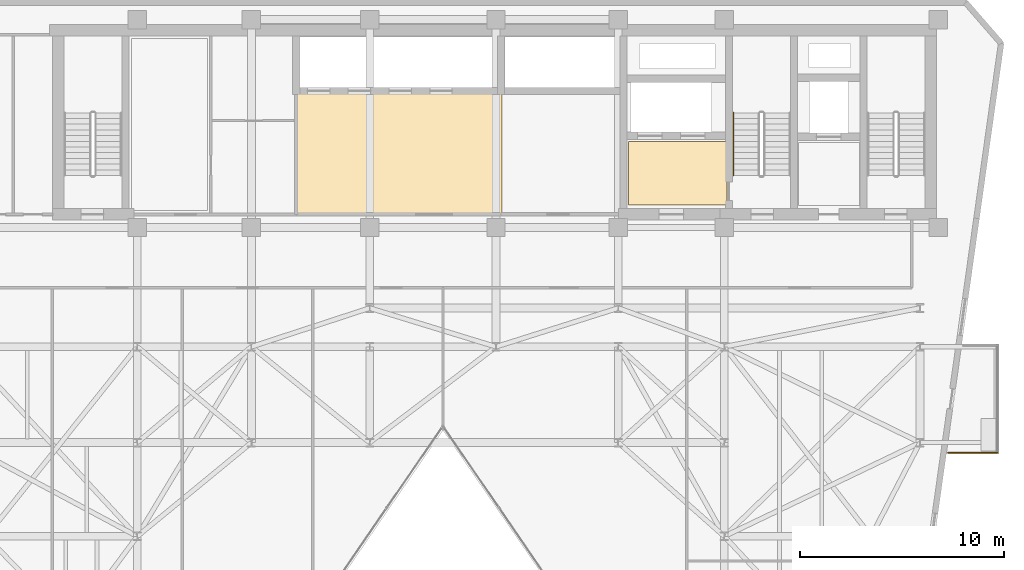
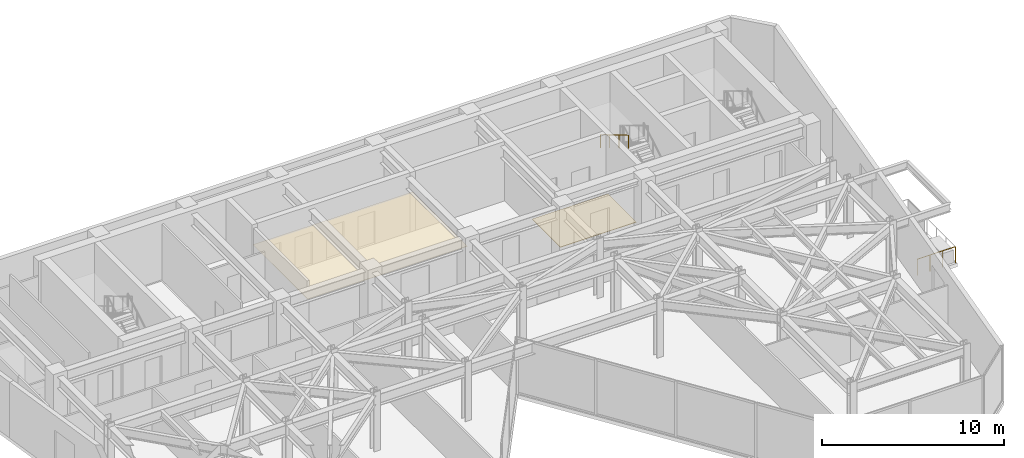
# One storey, part 20 of 21: 2 coverings, 2 railings.
"""IFC4 building model written with IfcOpenShell, lengths in metres."""

from ifc_helpers import new_model, si_unit, direction, frame, origin, origin_2d, place, context, subcontext, project, spatial, polyline, circle, outline, extrude, material, layer, layer_set, type_object, element, save


model = new_model("IFC4")

# Units and contexts
model_context = context("Model", 3, precision=1e-05, world=origin(), true_north=direction((0.0, 1.0)))
body_context = subcontext(model_context, "Body", "Model", "MODEL_VIEW")
ifc_project = project(units=[si_unit("LENGTHUNIT", "METRE"), si_unit("AREAUNIT", "SQUARE_METRE"), si_unit("VOLUMEUNIT", "CUBIC_METRE"), si_unit("PLANEANGLEUNIT", "RADIAN"), si_unit("MASSUNIT", "GRAM", prefix="KILO")], contexts=[model_context])

# Site, building, storey
site_placement = place(None, origin())
site = spatial("IfcSite", under=ifc_project, at=site_placement, CompositionType="ELEMENT")
building_placement = place(site_placement, origin())
building = spatial("IfcBuilding", under=site, at=building_placement, Name="Kravanh Interchange Tower", CompositionType="ELEMENT")
storey_placement = place(building_placement, frame((0.0, 0.0, 168.5)))
storey = spatial("IfcBuildingStorey", under=building, at=storey_placement, Name="L40", CompositionType="ELEMENT", Elevation=168.5)

# Coverings
ifc_material_1 = material(Name="Cementitious Terrazzo Tile")
ifc_layer_1 = layer(ifc_material_1, 0.030029296875)
ifc_layer_set_1 = layer_set([ifc_layer_1], Name="Honed Terrazzo Lobby Flooring 30mm")
covering_type_1 = type_object("IfcCoveringType", Name="Honed Terrazzo Lobby Flooring 30mm", PredefinedType="FLOORING", material=ifc_layer_set_1)
covering_1_placement = place(storey_placement, origin())
element("IfcCovering", 1, at=covering_1_placement, inside=storey, type_object=covering_type_1, Name="L40 Firefighting Lobby Floor Finish", PredefinedType="FLOORING", context=body_context, shape_type="SweptSolid", body=[
    extrude(outline(polyline([(56.1201171875, 38.4599609375), (51.300048828125, 38.4599609375), (51.300048828125, 41.580078125), (56.1201171875, 41.580078125), (56.1201171875, 38.4599609375)])), origin(), (0.0, 0.0, 1.0), 0.030029296875),
])
ifc_material_2 = material(Name="Acoustic Mineral Fibre Tile on Aluminium Grid", Category="aluminium")
ifc_layer_2 = layer(ifc_material_2, 0.02490234375)
ifc_layer_set_2 = layer_set([ifc_layer_2], Name="Perforated Acoustic Mineral Ceiling 25mm")
covering_type_2 = type_object("IfcCoveringType", Name="Perforated Acoustic Mineral Ceiling 25mm", PredefinedType="CEILING", material=ifc_layer_set_2)
covering_2_placement = place(storey_placement, frame((0.0, 0.0, 2.550048828125)))
element("IfcCovering", 2, at=covering_2_placement, inside=storey, type_object=covering_type_2, Name="L40 Mid-Rise Lift Lobby Suspended Ceiling", PredefinedType="CEILING", context=body_context, shape_type="SweptSolid", body=[
    extrude(outline(polyline([(45.090087890625, 37.9599609375), (34.93994140625, 37.9599609375), (34.93994140625, 43.989990234375), (45.090087890625, 43.989990234375), (45.090087890625, 37.9599609375)])), origin(), (0.0, 0.0, 1.0), 0.02490234375),
])

# Railings
ifc_material_3 = material(Name="Stainless Steel 316", Category="steel")
ifc_layer_3 = layer(ifc_material_3, 0.06005859375)
ifc_layer_set_3 = layer_set([ifc_layer_3], Name="Perimeter Balcony and Terrace Guardrail Stainless 316 1120mm")
railing_type_1 = type_object("IfcRailingType", Name="Perimeter Balcony and Terrace Guardrail Stainless 316 1120mm", PredefinedType="GUARDRAIL", material=ifc_layer_set_3)
railing_1_placement = place(storey_placement, frame((69.39892578125, 26.31005859375, 0.0)))
element("IfcRailing", 3, at=railing_1_placement, inside=storey, type_object=railing_type_1, Name="L40 E Balcony Guardrail 2", PredefinedType="GUARDRAIL", context=body_context, shape_type="SweptSolid", body=[
    extrude(circle(Radius=0.02392578125, at=origin_2d()), frame((0.0, 0.0, 1.09619140625), z_axis=(-1.0, 0.0, 0.0), x_axis=(0.0, -1.0, 0.0)), (0.0, 0.0, 1.0), 2.421630859375),
    extrude(circle(Radius=0.02099609375, at=origin_2d()), origin(), (0.0, 0.0, 1.0), 1.072021484375),
    extrude(circle(Radius=0.02099609375, at=origin_2d()), frame((-0.80712890625, 0.0, 0.0)), (0.0, 0.0, 1.0), 1.072021484375),
    extrude(circle(Radius=0.02099609375, at=origin_2d()), frame((-1.614501953125, 0.0, 0.0)), (0.0, 0.0, 1.0), 1.072021484375),
    extrude(circle(Radius=0.02099609375, at=origin_2d()), frame((-2.421630859375, 0.0, 0.0)), (0.0, 0.0, 1.0), 1.072021484375),
])
ifc_material_4 = material(Name="Stainless Steel 304", Category="steel")
ifc_layer_4 = layer(ifc_material_4, 0.044921875)
ifc_layer_set_4 = layer_set([ifc_layer_4], Name="Tubular Stair Handrail Stainless 304 900mm")
railing_type_2 = type_object("IfcRailingType", Name="Tubular Stair Handrail Stainless 304 900mm", PredefinedType="HANDRAIL", material=ifc_layer_set_4)
railing_2_placement = place(storey_placement, frame((56.449951171875, 42.97998046875, 2.166748046875)))
element("IfcRailing", 4, at=railing_2_placement, inside=storey, type_object=railing_type_2, Name="L40 ST2 stair handrail 2", PredefinedType="HANDRAIL", context=body_context, shape_type="SweptSolid", body=[
    extrude(circle(Radius=0.02392578125, at=origin_2d()), frame((0.0, 0.0, 0.8759765625), z_axis=(0.0, -0.859308565015, 0.511457515432), x_axis=(1.0, 0.0, 0.0)), (0.0, 0.0, 1.0), 3.58447265625),
    extrude(circle(Radius=0.02099609375, at=origin_2d()), origin(), (0.0, 0.0, 1.0), 0.851806640625),
    extrude(circle(Radius=0.02099609375, at=origin_2d()), frame((0.0, -1.026611328125, 0.611083984375)), (0.0, 0.0, 1.0), 0.851806640625),
    extrude(circle(Radius=0.02099609375, at=origin_2d()), frame((0.0, -2.053466796875, 1.22216796875)), (0.0, 0.0, 1.0), 0.851806640625),
    extrude(circle(Radius=0.02099609375, at=origin_2d()), frame((0.0, -3.080078125, 1.833251953125)), (0.0, 0.0, 1.0), 0.851806640625),
])

save(model, "model.ifc")
